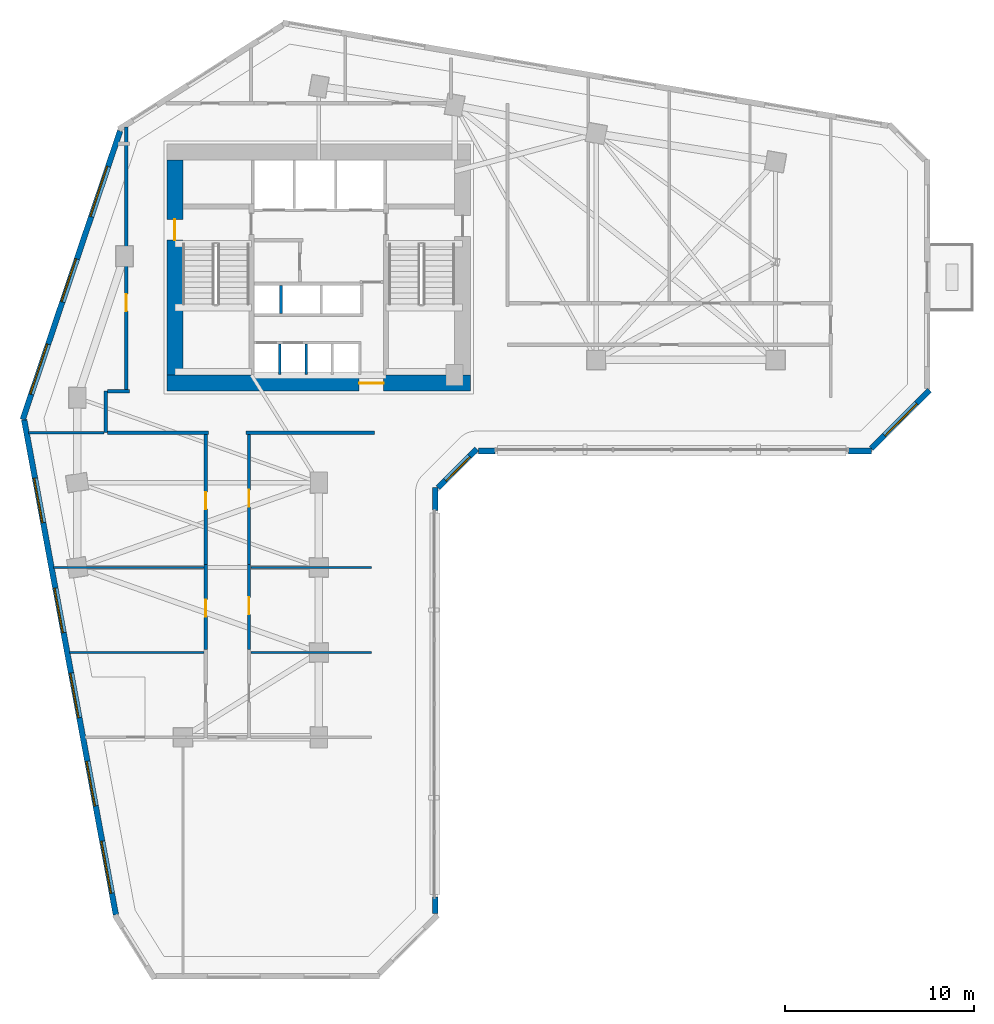
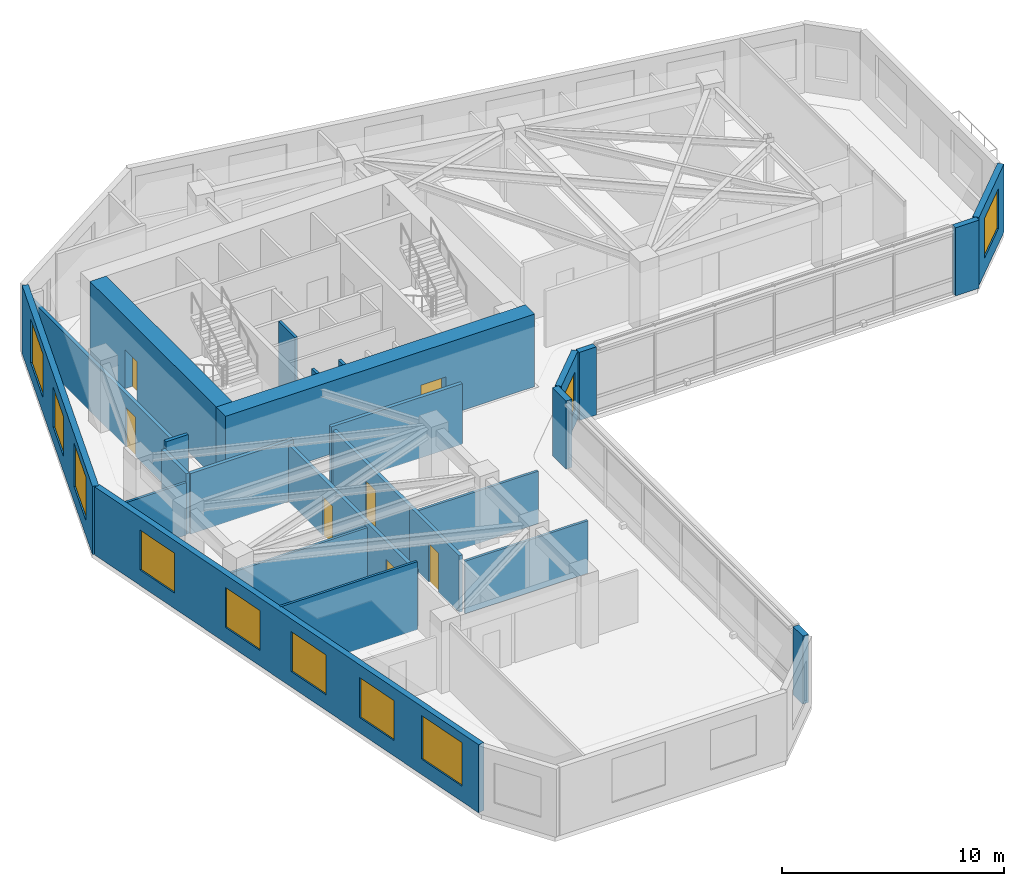
# One storey, part 5 of 11: 27 walls, 10 windows, 7 doors, 17 openings.
"""IFC4 building model written with IfcOpenShell, lengths in metres."""

from ifc_helpers import new_model, si_unit, direction, frame, frame_2d, origin, place, context, subcontext, project, spatial, rectangle, extrude, source, transform, mapped, material, layer, layer_set, type_object, element, fill, save


model = new_model("IFC4")

# Units and contexts
model_context = context("Model", 3, precision=1e-05, world=origin(), true_north=direction((0.0, 1.0)))
body_context = subcontext(model_context, "Body", "Model", "MODEL_VIEW")
ifc_project = project(units=[si_unit("LENGTHUNIT", "METRE"), si_unit("AREAUNIT", "SQUARE_METRE"), si_unit("VOLUMEUNIT", "CUBIC_METRE"), si_unit("PLANEANGLEUNIT", "RADIAN"), si_unit("MASSUNIT", "GRAM", prefix="KILO")], contexts=[model_context])

# Site, building, storey
site_placement = place(None, origin())
site = spatial("IfcSite", under=ifc_project, at=site_placement, CompositionType="ELEMENT")
building_placement = place(site_placement, origin())
building = spatial("IfcBuilding", under=site, at=building_placement, Name="Calvemar Wedge Station Tower", CompositionType="ELEMENT")
storey_placement = place(building_placement, frame((0.0, 0.0, 75.0)))
storey = spatial("IfcBuildingStorey", under=building, at=storey_placement, Name="L18", CompositionType="ELEMENT", Elevation=75.0)

# Wall, opening, door
ifc_material_1 = material(Name="Concrete C80", Category="concrete")
ifc_layer_1 = layer(ifc_material_1, 0.85009765625)
ifc_layer_set_1 = layer_set([ifc_layer_1], Name="Concrete C80")
wall_type_1 = type_object("IfcWallType", Name="SW-CORE-850", PredefinedType="SHEAR", material=ifc_layer_set_1)
wall_1_placement = place(storey_placement, frame((15.75, 33.77490234375, 0.0), z_axis=(0.0, 0.0, 1.0), x_axis=(1.0, 0.0, 0.0)))
wall_1 = element("IfcWall", 1, at=wall_1_placement, inside=storey, type_object=wall_type_1, Name="Storey L18 Core Shear Wall S", PredefinedType="SHEAR", context=body_context, shape_type="SweptSolid", body=[
    extrude(rectangle(XDim=16.10009765625, YDim=0.85009765625, at=frame_2d((8.050048828125, 0.0))), origin(), (0.0, 0.0, 1.0), 4.0),
])
shared_shape_1 = source(origin(), body_context, "Body", "SweptSolid", [
    extrude(rectangle(XDim=1.300048828125, YDim=2.14990234375, at=frame_2d((0.64990234375, 1.074951171875))), frame((0.0, 0.43505859375, 0.0), z_axis=(0.0, -1.0, 0.0), x_axis=(1.0, 0.0, 0.0)), (0.0, 0.0, 1.0), 0.8701171875),
])
opening_1_placement = place(wall_1_placement, frame((10.179931640625, 0.0, 0.0)))
opening_1 = element("IfcOpeningElement", 2, at=opening_1_placement, cuts=wall_1, Name="Opening DD-130", PredefinedType="OPENING", context=body_context, shape_type="MappedRepresentation", body=[
    mapped(shared_shape_1, transform((0.0, 0.0, 0.0), scale=1.0)),
])
ifc_material_2 = material(Name="Double-leaf lift lobby fire door EI 60")
door_type_1 = type_object("IfcDoorType", Name="DR-DBL-1300", OperationType="DOUBLE_DOOR_SINGLE_SWING", PredefinedType="DOOR", material=ifc_material_2)
shared_shape_2 = source(origin(), body_context, "Body", "SweptSolid", [
    extrude(rectangle(XDim=1.300048828125, YDim=2.14990234375, at=frame_2d((0.64990234375, 1.074951171875))), frame((0.0, 0.02490234375, 0.0), z_axis=(0.0, -1.0, 0.0), x_axis=(1.0, 0.0, 0.0)), (0.0, 0.0, 1.0), 0.050048828125),
])
door_1_placement = place(opening_1_placement, origin())
door_1 = element("IfcDoor", 3, at=door_1_placement, inside=storey, type_object=door_type_1, Name="L18 Passenger Lift Lobby Door", OperationType="DOUBLE_DOOR_SINGLE_SWING", OverallHeight=2.14990234375, OverallWidth=1.300048828125, PredefinedType="DOOR", context=body_context, shape_type="MappedRepresentation", body=[
    mapped(shared_shape_2, transform((0.0, 0.0, 0.0), scale=1.0)),
])
fill(opening_1, door_1)

wall_2_placement = place(storey_placement, frame((16.175048828125, 34.199951171875, 0.0), z_axis=(0.0, 0.0, 1.0), x_axis=(0.0, 1.0, 0.0)))
wall_2 = element("IfcWall", 4, at=wall_2_placement, inside=storey, type_object=wall_type_1, Name="Storey L18 Core Shear Wall W", PredefinedType="SHEAR", context=body_context, shape_type="SweptSolid", body=[
    extrude(rectangle(XDim=11.400146484375, YDim=0.85009765625, at=frame_2d((5.7001953125, 0.0))), origin(), (0.0, 0.0, 1.0), 4.0),
])
shared_shape_3 = source(origin(), body_context, "Body", "SweptSolid", [
    extrude(rectangle(XDim=1.10009765625, YDim=2.14990234375, at=frame_2d((0.550048828125, 1.074951171875))), frame((0.0, 0.43505859375, 0.0), z_axis=(0.0, -1.0, 0.0), x_axis=(1.0, 0.0, 0.0)), (0.0, 0.0, 1.0), 0.8701171875),
])
opening_2_placement = place(wall_2_placement, frame((7.14990234375, 0.0, 0.0)))
opening_2 = element("IfcOpeningElement", 5, at=opening_2_placement, cuts=wall_2, Name="Opening FD-90", PredefinedType="OPENING", context=body_context, shape_type="MappedRepresentation", body=[
    mapped(shared_shape_3, transform((0.0, 0.0, 0.0), scale=1.0)),
])
ifc_material_3 = material(Name="Galvanized fire-rated steel door leaf P-90", Category="steel")
door_type_2 = type_object("IfcDoorType", Name="DR-FD90-1100", OperationType="NOTDEFINED", PredefinedType="DOOR", material=ifc_material_3)
shared_shape_4 = source(origin(), body_context, "Body", "SweptSolid", [
    extrude(rectangle(XDim=1.10009765625, YDim=2.14990234375, at=frame_2d((0.550048828125, 1.074951171875))), frame((0.0, 0.02490234375, 0.0), z_axis=(0.0, -1.0, 0.0), x_axis=(1.0, 0.0, 0.0)), (0.0, 0.0, 1.0), 0.050048828125),
])
door_2_placement = place(opening_2_placement, origin())
door_2 = element("IfcDoor", 6, at=door_2_placement, inside=storey, type_object=door_type_2, Name="L18 West Corridor to Exit Stair ST-C1 Door", OperationType="SINGLE_SWING_RIGHT", OverallHeight=2.14990234375, OverallWidth=1.10009765625, PredefinedType="DOOR", context=body_context, shape_type="MappedRepresentation", body=[
    mapped(shared_shape_4, transform((0.0, 0.0, 0.0), scale=1.0)),
])
fill(opening_2, door_2)

# Walls
ifc_material_4 = material(Name="Double-stud fire-rated corridor partition")
ifc_layer_2 = layer(ifc_material_4, 0.179931640625)
ifc_layer_set_2 = layer_set([ifc_layer_2], Name="Double-stud fire-rated corridor partition")
wall_type_2 = type_object("IfcWallType", Name="W-CORR-180", PredefinedType="PARTITIONING", material=ifc_layer_set_2)
wall_3_placement = place(storey_placement, frame((12.5, 31.14990234375, 0.0), z_axis=(0.0, 0.0, 1.0), x_axis=(0.0, 1.0, 0.0)))
element("IfcWall", 7, at=wall_3_placement, inside=storey, type_object=wall_type_2, Name="Storey L18 Interior Partition WL-L18-004", PredefinedType="PARTITIONING", context=body_context, shape_type="SweptSolid", body=[
    extrude(rectangle(XDim=2.2001953125, YDim=0.179931640625, at=frame_2d((1.10009765625, 0.0))), origin(), (0.0, 0.0, 1.0), 3.3349609375),
])
wall_4_placement = place(storey_placement, frame((12.593994140625, 33.35009765625, 0.0), z_axis=(0.0, 0.0, 1.0), x_axis=(1.0, 0.0, 0.0)))
element("IfcWall", 8, at=wall_4_placement, inside=storey, type_object=wall_type_2, Name="Storey L18 Interior Partition WL-L18-005", PredefinedType="PARTITIONING", context=body_context, shape_type="SweptSolid", body=[
    extrude(rectangle(XDim=1.166015625, YDim=0.179931640625, at=frame_2d((0.5830078125, 0.0))), origin(), (0.0, 0.0, 1.0), 3.75),
])
wall_5_placement = place(storey_placement, frame((17.9599609375, 31.14990234375, 0.0), z_axis=(0.0, 0.0, 1.0), x_axis=(-1.0, 0.0, 0.0)))
element("IfcWall", 9, at=wall_5_placement, inside=storey, type_object=wall_type_2, Name="Storey L18 Interior Partition WL-L18-006", PredefinedType="PARTITIONING", context=body_context, shape_type="SweptSolid", body=[
    extrude(rectangle(XDim=5.365966796875, YDim=0.179931640625, at=frame_2d((2.68310546875, 0.0))), origin(), (0.0, 0.0, 1.0), 3.3349609375),
])
wall_6_placement = place(storey_placement, frame((26.760009765625, 31.14990234375, 0.0), z_axis=(0.0, 0.0, 1.0), x_axis=(-1.0, 0.0, 0.0)))
element("IfcWall", 10, at=wall_6_placement, inside=storey, type_object=wall_type_2, Name="Storey L18 Interior Partition WL-L18-007", PredefinedType="PARTITIONING", context=body_context, shape_type="SweptSolid", body=[
    extrude(rectangle(XDim=6.820068359375, YDim=0.179931640625, at=frame_2d((3.41015625, 0.0))), origin(), (0.0, 0.0, 1.0), 3.3349609375),
])

# Wall, opening, door
wall_7_placement = place(storey_placement, frame((13.60009765625, 33.444091796875, 0.0), z_axis=(0.0, 0.0, 1.0), x_axis=(0.0, 1.0, 0.0)))
wall_7 = element("IfcWall", 11, at=wall_7_placement, inside=storey, type_object=wall_type_2, Name="Storey L18 Interior Partition WL-L18-008", PredefinedType="PARTITIONING", context=body_context, shape_type="SweptSolid", body=[
    extrude(rectangle(XDim=13.896240234375, YDim=0.179931640625, at=frame_2d((6.9482421875, 0.0))), origin(), (0.0, 0.0, 1.0), 2.89208984375),
])
shared_shape_5 = source(origin(), body_context, "Body", "SweptSolid", [
    extrude(rectangle(XDim=0.89990234375, YDim=2.14990234375, at=frame_2d((0.449951171875, 1.074951171875))), frame((0.0, 0.10009765625, 0.0), z_axis=(0.0, -1.0, 0.0), x_axis=(1.0, 0.0, 0.0)), (0.0, 0.0, 1.0), 0.199951171875),
])
opening_3_placement = place(wall_7_placement, frame((4.143798828125, 0.0, 0.0)))
opening_3 = element("IfcOpeningElement", 12, at=opening_3_placement, cuts=wall_7, Name="Opening D-01", PredefinedType="OPENING", context=body_context, shape_type="MappedRepresentation", body=[
    mapped(shared_shape_5, transform((0.0, 0.0, 0.0), scale=1.0)),
])
ifc_material_5 = material(Name="Architectural hardwood acoustic swing door", Category="wood")
door_type_3 = type_object("IfcDoorType", Name="DR-INT-900", OperationType="NOTDEFINED", PredefinedType="DOOR", material=ifc_material_5)
shared_shape_6 = source(origin(), body_context, "Body", "SweptSolid", [
    extrude(rectangle(XDim=0.89990234375, YDim=2.14990234375, at=frame_2d((0.449951171875, 1.074951171875))), frame((0.0, 0.02490234375, 0.0), z_axis=(0.0, -1.0, 0.0), x_axis=(1.0, 0.0, 0.0)), (0.0, 0.0, 1.0), 0.050048828125),
])
door_3_placement = place(opening_3_placement, origin())
door_3 = element("IfcDoor", 13, at=door_3_placement, inside=storey, type_object=door_type_3, Name="L18 Co-Working Studio Door", OperationType="SINGLE_SWING_RIGHT", OverallHeight=2.14990234375, OverallWidth=0.89990234375, PredefinedType="DOOR", context=body_context, shape_type="MappedRepresentation", body=[
    mapped(shared_shape_6, transform((0.0, 0.0, 0.0), scale=1.0)),
])
fill(opening_3, door_3)

wall_8_placement = place(storey_placement, frame((17.800048828125, 19.662109375, 0.0), z_axis=(0.0, 0.0, 1.0), x_axis=(0.0, 1.0, 0.0)))
wall_8 = element("IfcWall", 14, at=wall_8_placement, inside=storey, type_object=wall_type_2, Name="Storey L18 Interior Partition WL-L18-031", PredefinedType="PARTITIONING", context=body_context, shape_type="SweptSolid", body=[
    extrude(rectangle(XDim=4.497802734375, YDim=0.179931640625, at=frame_2d((2.2490234375, 0.0))), origin(), (0.0, 0.0, 1.0), 3.125),
])
opening_4_placement = place(wall_8_placement, frame((1.73828125, 0.0, 0.0)))
opening_4 = element("IfcOpeningElement", 15, at=opening_4_placement, cuts=wall_8, Name="Opening D-01", PredefinedType="OPENING", context=body_context, shape_type="MappedRepresentation", body=[
    mapped(shared_shape_5, transform((0.0, 0.0, 0.0), scale=1.0)),
])
door_4_placement = place(opening_4_placement, origin())
door_4 = element("IfcDoor", 16, at=door_4_placement, inside=storey, type_object=door_type_3, Name="L18 Office Door", OperationType="SINGLE_SWING_RIGHT", OverallHeight=2.14990234375, OverallWidth=0.89990234375, PredefinedType="DOOR", context=body_context, shape_type="MappedRepresentation", body=[
    mapped(shared_shape_6, transform((0.0, 0.0, 0.0), scale=1.0)),
])
fill(opening_4, door_4)

wall_9_placement = place(storey_placement, frame((20.10009765625, 24.159912109375, 0.0), z_axis=(0.0, 0.0, 1.0), x_axis=(0.0, -1.0, 0.0)))
wall_9 = element("IfcWall", 17, at=wall_9_placement, inside=storey, type_object=wall_type_2, Name="Storey L18 Interior Partition WL-L18-032", PredefinedType="PARTITIONING", context=body_context, shape_type="SweptSolid", body=[
    extrude(rectangle(XDim=4.497802734375, YDim=0.179931640625, at=frame_2d((2.2490234375, 0.0))), origin(), (0.0, 0.0, 1.0), 3.125),
])
opening_5_placement = place(wall_9_placement, frame((1.73828125, 0.0, 0.0)))
opening_5 = element("IfcOpeningElement", 18, at=opening_5_placement, cuts=wall_9, Name="Opening D-01", PredefinedType="OPENING", context=body_context, shape_type="MappedRepresentation", body=[
    mapped(shared_shape_5, transform((0.0, 0.0, 0.0), scale=1.0)),
])
door_5_placement = place(opening_5_placement, origin())
door_5 = element("IfcDoor", 19, at=door_5_placement, inside=storey, type_object=door_type_3, Name="L18 Office Door", OperationType="SINGLE_SWING_LEFT", OverallHeight=2.14990234375, OverallWidth=0.89990234375, PredefinedType="DOOR", context=body_context, shape_type="MappedRepresentation", body=[
    mapped(shared_shape_6, transform((0.0, 0.0, 0.0), scale=1.0)),
])
fill(opening_5, door_5)

wall_10_placement = place(storey_placement, frame((17.800048828125, 24.162109375, 0.0), z_axis=(0.0, 0.0, 1.0), x_axis=(0.0, 1.0, 0.0)))
wall_10 = element("IfcWall", 20, at=wall_10_placement, inside=storey, type_object=wall_type_2, Name="Storey L18 Interior Partition WL-L18-033", PredefinedType="PARTITIONING", context=body_context, shape_type="SweptSolid", body=[
    extrude(rectangle(XDim=6.893798828125, YDim=0.179931640625, at=frame_2d((3.44677734375, 0.0))), origin(), (0.0, 0.0, 1.0), 3.125),
])
opening_6_placement = place(wall_10_placement, frame((2.9365234375, 0.0, 0.0)))
opening_6 = element("IfcOpeningElement", 21, at=opening_6_placement, cuts=wall_10, Name="Opening D-01", PredefinedType="OPENING", context=body_context, shape_type="MappedRepresentation", body=[
    mapped(shared_shape_5, transform((0.0, 0.0, 0.0), scale=1.0)),
])
door_6_placement = place(opening_6_placement, origin())
door_6 = element("IfcDoor", 22, at=door_6_placement, inside=storey, type_object=door_type_3, Name="L18 Co-Working Studio Door", OperationType="SINGLE_SWING_RIGHT", OverallHeight=2.14990234375, OverallWidth=0.89990234375, PredefinedType="DOOR", context=body_context, shape_type="MappedRepresentation", body=[
    mapped(shared_shape_6, transform((0.0, 0.0, 0.0), scale=1.0)),
])
fill(opening_6, door_6)

wall_11_placement = place(storey_placement, frame((20.10009765625, 31.055908203125, 0.0), z_axis=(0.0, 0.0, 1.0), x_axis=(0.0, -1.0, 0.0)))
wall_11 = element("IfcWall", 23, at=wall_11_placement, inside=storey, type_object=wall_type_2, Name="Storey L18 Interior Partition WL-L18-034", PredefinedType="PARTITIONING", context=body_context, shape_type="SweptSolid", body=[
    extrude(rectangle(XDim=6.893798828125, YDim=0.179931640625, at=frame_2d((3.44677734375, 0.0))), origin(), (0.0, 0.0, 1.0), 3.125),
])
opening_7_placement = place(wall_11_placement, frame((2.9365234375, 0.0, 0.0)))
opening_7 = element("IfcOpeningElement", 24, at=opening_7_placement, cuts=wall_11, Name="Opening D-01", PredefinedType="OPENING", context=body_context, shape_type="MappedRepresentation", body=[
    mapped(shared_shape_5, transform((0.0, 0.0, 0.0), scale=1.0)),
])
door_7_placement = place(opening_7_placement, origin())
door_7 = element("IfcDoor", 25, at=door_7_placement, inside=storey, type_object=door_type_3, Name="L18 Meeting Room Door", OperationType="SINGLE_SWING_LEFT", OverallHeight=2.14990234375, OverallWidth=0.89990234375, PredefinedType="DOOR", context=body_context, shape_type="MappedRepresentation", body=[
    mapped(shared_shape_6, transform((0.0, 0.0, 0.0), scale=1.0)),
])
fill(opening_7, door_7)

# Walls
ifc_material_6 = material(Name="Precast concrete C45", Category="concrete")
ifc_layer_3 = layer(ifc_material_6, 0.300048828125)
ifc_layer_set_3 = layer_set([ifc_layer_3], Name="Precast concrete C45")
wall_type_3 = type_object("IfcWallType", Name="W-EXT-GFRC-300", PredefinedType="SOLIDWALL", material=ifc_layer_set_3)
wall_12_placement = place(storey_placement, frame((29.97802734375, 5.6572265625, 0.0), z_axis=(0.0, 0.0, 1.0), x_axis=(0.0, 1.0, 0.0)))
element("IfcWall", 26, at=wall_12_placement, inside=storey, type_object=wall_type_3, Name="Storey L18 Bronze GFRC Corner Pier 4A", PredefinedType="SOLIDWALL", context=body_context, shape_type="SweptSolid", body=[
    extrude(rectangle(XDim=0.8798828125, YDim=0.300048828125, at=frame_2d((0.43994140625, 0.0))), origin(), (0.0, 0.0, 1.0), 3.75),
])
wall_13_placement = place(storey_placement, frame((29.97802734375, 27.01513671875, 0.0), z_axis=(0.0, 0.0, 1.0), x_axis=(0.0, 1.0, 0.0)))
element("IfcWall", 27, at=wall_13_placement, inside=storey, type_object=wall_type_3, Name="Storey L18 Bronze GFRC Corner Pier 4B", PredefinedType="SOLIDWALL", context=body_context, shape_type="SweptSolid", body=[
    extrude(rectangle(XDim=1.224853515625, YDim=0.300048828125, at=frame_2d((0.6123046875, 0.0))), origin(), (0.0, 0.0, 1.0), 3.75),
])

# Wall, opening, window
wall_14_placement = place(storey_placement, frame((30.115966796875, 28.22802734375, 0.0), z_axis=(0.0, 0.0, 1.0), x_axis=(0.707064797706, 0.707148762175, 0.0)))
wall_14 = element("IfcWall", 28, at=wall_14_placement, inside=storey, type_object=wall_type_3, Name="Storey L18 Bronze GFRC Exterior Wall 5", PredefinedType="SOLIDWALL", context=body_context, shape_type="SweptSolid", body=[
    extrude(rectangle(XDim=2.90771484375, YDim=0.300048828125, at=frame_2d((1.453857421875, 0.0))), origin(), (0.0, 0.0, 1.0), 3.75),
])
shared_shape_7 = source(origin(), body_context, "Body", "SweptSolid", [
    extrude(rectangle(XDim=1.800048828125, YDim=2.10009765625, at=frame_2d((0.89990234375, 1.050048828125))), frame((0.0, 0.16015625, 0.0), z_axis=(0.0, -1.0, 0.0), x_axis=(1.0, 0.0, 0.0)), (0.0, 0.0, 1.0), 0.320068359375),
])
opening_8_placement = place(wall_14_placement, frame((0.553955078125, 0.0, 0.85009765625)))
opening_8 = element("IfcOpeningElement", 29, at=opening_8_placement, cuts=wall_14, Name="Opening W2", PredefinedType="OPENING", context=body_context, shape_type="MappedRepresentation", body=[
    mapped(shared_shape_7, transform((0.0, 0.0, 0.0), scale=1.0)),
])
ifc_material_7 = material(Name="Low-E laminated insulated glass", Category="glass")
window_type_1 = type_object("IfcWindowType", Name="WIN-EXT-2", PartitioningType="SINGLE_PANEL", PredefinedType="WINDOW", material=ifc_material_7)
shared_shape_8 = source(origin(), body_context, "Body", "SweptSolid", [
    extrude(rectangle(XDim=1.800048828125, YDim=2.10009765625, at=frame_2d((0.89990234375, 1.050048828125))), frame((0.0, -0.014892578125, 0.0), z_axis=(0.0, -1.0, 0.0), x_axis=(1.0, 0.0, 0.0)), (0.0, 0.0, 1.0), 0.06005859375),
])
window_1_placement = place(opening_8_placement, origin())
window_1 = element("IfcWindow", 30, at=window_1_placement, inside=storey, type_object=window_type_1, Name="Storey L18 Recessed Window 5.1", OverallHeight=2.10009765625, OverallWidth=1.800048828125, PartitioningType="SINGLE_PANEL", PredefinedType="WINDOW", context=body_context, shape_type="MappedRepresentation", body=[
    mapped(shared_shape_8, transform((0.0, 0.0, 0.0), scale=1.0)),
])
fill(opening_8, window_1)

# Walls
wall_15_placement = place(storey_placement, frame((32.260986328125, 30.177978515625, 0.0), z_axis=(0.0, 0.0, 1.0), x_axis=(1.0, 0.0, 0.0)))
element("IfcWall", 31, at=wall_15_placement, inside=storey, type_object=wall_type_3, Name="Storey L18 Bronze GFRC Corner Pier 6A", PredefinedType="SOLIDWALL", context=body_context, shape_type="SweptSolid", body=[
    extrude(rectangle(XDim=0.8798828125, YDim=0.300048828125, at=frame_2d((0.43994140625, 0.0))), origin(), (0.0, 0.0, 1.0), 3.75),
])
wall_16_placement = place(storey_placement, frame((51.86279296875, 30.177978515625, 0.0), z_axis=(0.0, 0.0, 1.0), x_axis=(1.0, 0.0, 0.0)))
element("IfcWall", 32, at=wall_16_placement, inside=storey, type_object=wall_type_3, Name="Storey L18 Bronze GFRC Corner Pier 6B", PredefinedType="SOLIDWALL", context=body_context, shape_type="SweptSolid", body=[
    extrude(rectangle(XDim=1.22509765625, YDim=0.300048828125, at=frame_2d((0.612548828125, 0.0))), origin(), (0.0, 0.0, 1.0), 3.75),
])

# Wall, opening, window
wall_17_placement = place(storey_placement, frame((53.075927734375, 30.31591796875, 0.0), z_axis=(0.0, 0.0, 1.0), x_axis=(0.707078757535, 0.707134803727, 0.0)))
wall_17 = element("IfcWall", 33, at=wall_17_placement, inside=storey, type_object=wall_type_3, Name="Storey L18 Bronze GFRC Exterior Wall 7", PredefinedType="SOLIDWALL", context=body_context, shape_type="SweptSolid", body=[
    extrude(rectangle(XDim=4.35595703125, YDim=0.300048828125, at=frame_2d((2.177978515625, 0.0))), origin(), (0.0, 0.0, 1.0), 3.75),
])
shared_shape_9 = source(origin(), body_context, "Body", "SweptSolid", [
    extrude(rectangle(XDim=2.39990234375, YDim=2.199951171875, at=frame_2d((1.199951171875, 1.10009765625))), frame((0.0, 0.16015625, 0.0), z_axis=(0.0, -1.0, 0.0), x_axis=(1.0, 0.0, 0.0)), (0.0, 0.0, 1.0), 0.320068359375),
])
opening_9_placement = place(wall_17_placement, frame((0.97802734375, 0.0, 0.85009765625)))
opening_9 = element("IfcOpeningElement", 34, at=opening_9_placement, cuts=wall_17, Name="Opening W1", PredefinedType="OPENING", context=body_context, shape_type="MappedRepresentation", body=[
    mapped(shared_shape_9, transform((0.0, 0.0, 0.0), scale=1.0)),
])
window_type_2 = type_object("IfcWindowType", Name="WIN-EXT-1", PartitioningType="SINGLE_PANEL", PredefinedType="WINDOW", material=ifc_material_7)
shared_shape_10 = source(origin(), body_context, "Body", "SweptSolid", [
    extrude(rectangle(XDim=2.39990234375, YDim=2.199951171875, at=frame_2d((1.199951171875, 1.10009765625))), frame((0.0, -0.014892578125, 0.0), z_axis=(0.0, -1.0, 0.0), x_axis=(1.0, 0.0, 0.0)), (0.0, 0.0, 1.0), 0.06005859375),
])
window_2_placement = place(opening_9_placement, origin())
window_2 = element("IfcWindow", 35, at=window_2_placement, inside=storey, type_object=window_type_2, Name="Storey L18 Recessed Window 7.1", OverallHeight=2.199951171875, OverallWidth=2.39990234375, PartitioningType="SINGLE_PANEL", PredefinedType="WINDOW", context=body_context, shape_type="MappedRepresentation", body=[
    mapped(shared_shape_10, transform((0.0, 0.0, 0.0), scale=1.0)),
])
fill(opening_9, window_2)

# Wall, openings, windows
wall_18_placement = place(storey_placement, frame((13.2685546875, 47.1337890625, 0.0), z_axis=(0.0, 0.0, 1.0), x_axis=(-0.319920423265, -0.947444416722, 0.0)))
wall_18 = element("IfcWall", 36, at=wall_18_placement, inside=storey, type_object=wall_type_3, Name="Storey L18 Bronze GFRC Exterior Wall 12", PredefinedType="SOLIDWALL", context=body_context, shape_type="SweptSolid", body=[
    extrude(rectangle(XDim=16.134765625, YDim=0.300048828125, at=frame_2d((8.0673828125, 0.0))), origin(), (0.0, 0.0, 1.0), 3.75),
])
shared_shape_11 = source(origin(), body_context, "Body", "SweptSolid", [
    extrude(rectangle(XDim=2.800048828125, YDim=2.39990234375, at=frame_2d((1.39990234375, 1.199951171875))), frame((0.0, 0.16015625, 0.0), z_axis=(0.0, -1.0, 0.0), x_axis=(1.0, 0.0, 0.0)), (0.0, 0.0, 1.0), 0.320068359375),
])
opening_10_placement = place(wall_18_placement, frame((1.988037109375, 0.0, 0.85009765625)))
opening_10 = element("IfcOpeningElement", 37, at=opening_10_placement, cuts=wall_18, Name="Opening W6", PredefinedType="OPENING", context=body_context, shape_type="MappedRepresentation", body=[
    mapped(shared_shape_11, transform((0.0, 0.0, 0.0), scale=1.0)),
])
opening_11_placement = place(wall_18_placement, frame((7.158935546875, 0.0, 0.85009765625)))
opening_11 = element("IfcOpeningElement", 38, at=opening_11_placement, cuts=wall_18, Name="Opening W1", PredefinedType="OPENING", context=body_context, shape_type="MappedRepresentation", body=[
    mapped(shared_shape_9, transform((0.0, 0.0, 0.0), scale=1.0)),
])
opening_12_placement = place(wall_18_placement, frame((11.929931640625, 0.0, 0.85009765625)))
opening_12 = element("IfcOpeningElement", 39, at=opening_12_placement, cuts=wall_18, Name="Opening W6", PredefinedType="OPENING", context=body_context, shape_type="MappedRepresentation", body=[
    mapped(shared_shape_11, transform((0.0, 0.0, 0.0), scale=1.0)),
])
window_type_3 = type_object("IfcWindowType", Name="WIN-EXT-6", PartitioningType="SINGLE_PANEL", PredefinedType="WINDOW", material=ifc_material_7)
shared_shape_12 = source(origin(), body_context, "Body", "SweptSolid", [
    extrude(rectangle(XDim=2.800048828125, YDim=2.39990234375, at=frame_2d((1.39990234375, 1.199951171875))), frame((0.0, -0.014892578125, 0.0), z_axis=(0.0, -1.0, 0.0), x_axis=(1.0, 0.0, 0.0)), (0.0, 0.0, 1.0), 0.06005859375),
])
window_3_placement = place(opening_10_placement, origin())
window_3 = element("IfcWindow", 40, at=window_3_placement, inside=storey, type_object=window_type_3, Name="Storey L18 Recessed Window 12.1", OverallHeight=2.39990234375, OverallWidth=2.800048828125, PartitioningType="SINGLE_PANEL", PredefinedType="WINDOW", context=body_context, shape_type="MappedRepresentation", body=[
    mapped(shared_shape_12, transform((0.0, 0.0, 0.0), scale=1.0)),
])
fill(opening_10, window_3)
window_4_placement = place(opening_12_placement, origin())
window_4 = element("IfcWindow", 41, at=window_4_placement, inside=storey, type_object=window_type_3, Name="Storey L18 Recessed Window 12.3", OverallHeight=2.39990234375, OverallWidth=2.800048828125, PartitioningType="SINGLE_PANEL", PredefinedType="WINDOW", context=body_context, shape_type="MappedRepresentation", body=[
    mapped(shared_shape_12, transform((0.0, 0.0, 0.0), scale=1.0)),
])
fill(opening_12, window_4)
window_5_placement = place(opening_11_placement, origin())
window_5 = element("IfcWindow", 42, at=window_5_placement, inside=storey, type_object=window_type_2, Name="Storey L18 Recessed Window 12.2", OverallHeight=2.199951171875, OverallWidth=2.39990234375, PartitioningType="SINGLE_PANEL", PredefinedType="WINDOW", context=body_context, shape_type="MappedRepresentation", body=[
    mapped(shared_shape_10, transform((0.0, 0.0, 0.0), scale=1.0)),
])
fill(opening_11, window_5)

wall_19_placement = place(storey_placement, frame((8.183349609375, 31.83349609375, 0.0), z_axis=(0.0, 0.0, 1.0), x_axis=(0.18216364648, -0.983268226834, 0.0)))
wall_19 = element("IfcWall", 43, at=wall_19_placement, inside=storey, type_object=wall_type_3, Name="Storey L18 Bronze GFRC Exterior Wall 13", PredefinedType="SOLIDWALL", context=body_context, shape_type="SweptSolid", body=[
    extrude(rectangle(XDim=26.678466796875, YDim=0.300048828125, at=frame_2d((13.33935546875, 0.0))), origin(), (0.0, 0.0, 1.0), 3.75),
])
opening_13_placement = place(wall_19_placement, frame((3.152099609375, 0.0, 0.85009765625)))
opening_13 = element("IfcOpeningElement", 44, at=opening_13_placement, cuts=wall_19, Name="Opening W1", PredefinedType="OPENING", context=body_context, shape_type="MappedRepresentation", body=[
    mapped(shared_shape_9, transform((0.0, 0.0, 0.0), scale=1.0)),
])
opening_14_placement = place(wall_19_placement, frame((9.075927734375, 0.0, 0.85009765625)))
opening_14 = element("IfcOpeningElement", 45, at=opening_14_placement, cuts=wall_19, Name="Opening W1", PredefinedType="OPENING", context=body_context, shape_type="MappedRepresentation", body=[
    mapped(shared_shape_9, transform((0.0, 0.0, 0.0), scale=1.0)),
])
opening_15_placement = place(wall_19_placement, frame((13.653076171875, 0.0, 0.85009765625)))
opening_15 = element("IfcOpeningElement", 46, at=opening_15_placement, cuts=wall_19, Name="Opening W1", PredefinedType="OPENING", context=body_context, shape_type="MappedRepresentation", body=[
    mapped(shared_shape_9, transform((0.0, 0.0, 0.0), scale=1.0)),
])
opening_16_placement = place(wall_19_placement, frame((18.410888671875, 0.0, 0.85009765625)))
opening_16 = element("IfcOpeningElement", 47, at=opening_16_placement, cuts=wall_19, Name="Opening W1", PredefinedType="OPENING", context=body_context, shape_type="MappedRepresentation", body=[
    mapped(shared_shape_9, transform((0.0, 0.0, 0.0), scale=1.0)),
])
opening_17_placement = place(wall_19_placement, frame((22.708984375, 0.0, 0.85009765625)))
opening_17 = element("IfcOpeningElement", 48, at=opening_17_placement, cuts=wall_19, Name="Opening W6", PredefinedType="OPENING", context=body_context, shape_type="MappedRepresentation", body=[
    mapped(shared_shape_11, transform((0.0, 0.0, 0.0), scale=1.0)),
])
window_6_placement = place(opening_17_placement, origin())
window_6 = element("IfcWindow", 49, at=window_6_placement, inside=storey, type_object=window_type_3, Name="Storey L18 Recessed Window 13.5", OverallHeight=2.39990234375, OverallWidth=2.800048828125, PartitioningType="SINGLE_PANEL", PredefinedType="WINDOW", context=body_context, shape_type="MappedRepresentation", body=[
    mapped(shared_shape_12, transform((0.0, 0.0, 0.0), scale=1.0)),
])
fill(opening_17, window_6)
window_7_placement = place(opening_13_placement, origin())
window_7 = element("IfcWindow", 50, at=window_7_placement, inside=storey, type_object=window_type_2, Name="Storey L18 Recessed Window 13.1", OverallHeight=2.199951171875, OverallWidth=2.39990234375, PartitioningType="SINGLE_PANEL", PredefinedType="WINDOW", context=body_context, shape_type="MappedRepresentation", body=[
    mapped(shared_shape_10, transform((0.0, 0.0, 0.0), scale=1.0)),
])
fill(opening_13, window_7)
window_8_placement = place(opening_14_placement, origin())
window_8 = element("IfcWindow", 51, at=window_8_placement, inside=storey, type_object=window_type_2, Name="Storey L18 Recessed Window 13.2", OverallHeight=2.199951171875, OverallWidth=2.39990234375, PartitioningType="SINGLE_PANEL", PredefinedType="WINDOW", context=body_context, shape_type="MappedRepresentation", body=[
    mapped(shared_shape_10, transform((0.0, 0.0, 0.0), scale=1.0)),
])
fill(opening_14, window_8)
window_9_placement = place(opening_15_placement, origin())
window_9 = element("IfcWindow", 52, at=window_9_placement, inside=storey, type_object=window_type_2, Name="Storey L18 Recessed Window 13.3", OverallHeight=2.199951171875, OverallWidth=2.39990234375, PartitioningType="SINGLE_PANEL", PredefinedType="WINDOW", context=body_context, shape_type="MappedRepresentation", body=[
    mapped(shared_shape_10, transform((0.0, 0.0, 0.0), scale=1.0)),
])
fill(opening_15, window_9)
window_10_placement = place(opening_16_placement, origin())
window_10 = element("IfcWindow", 53, at=window_10_placement, inside=storey, type_object=window_type_2, Name="Storey L18 Recessed Window 13.4", OverallHeight=2.199951171875, OverallWidth=2.39990234375, PartitioningType="SINGLE_PANEL", PredefinedType="WINDOW", context=body_context, shape_type="MappedRepresentation", body=[
    mapped(shared_shape_10, transform((0.0, 0.0, 0.0), scale=1.0)),
])
fill(opening_16, window_10)

# Walls
ifc_material_8 = material(Name="Reinforced concrete blockwork lift shaft wall", Category="masonry")
ifc_layer_4 = layer(ifc_material_8, 0.139892578125)
ifc_layer_set_4 = layer_set([ifc_layer_4], Name="Reinforced concrete blockwork lift shaft wall")
wall_type_4 = type_object("IfcWallType", Name="W-LIFT-160", PredefinedType="SOLIDWALL", material=ifc_layer_set_4)
for number, where, z_axis, x_axis, name in (
    (54, (21.735107421875, 34.219970703125, 0.0), (0.0, 0.0, 1.0), (0.0, 1.0, 0.0), "Storey L18 South Passenger Lift Shaft Wall D1"),
    (55, (23.125, 34.219970703125, 0.0), (0.0, 0.0, 1.0), (0.0, 1.0, 0.0), "Storey L18 South Passenger Lift Shaft Wall D2"),
):
    element("IfcWall", number, at=place(storey_placement, frame(where, z_axis=z_axis, x_axis=x_axis)), inside=storey, type_object=wall_type_4, Name=name, PredefinedType="SOLIDWALL", context=body_context, shape_type="SweptSolid", body=[
        extrude(rectangle(XDim=1.6201171875, YDim=0.139892578125, at=frame_2d((0.81005859375, 0.0))), origin(), (0.0, 0.0, 1.0), 3.0419921875),
    ])
wall_20_placement = place(storey_placement, frame((21.794921875, 37.4599609375, 0.0), z_axis=(0.0, 0.0, 1.0), x_axis=(0.0, 1.0, 0.0)))
element("IfcWall", 56, at=wall_20_placement, inside=storey, type_object=wall_type_4, Name="Storey L18 Upper Passenger Lift Shaft Wall D1", PredefinedType="SOLIDWALL", context=body_context, shape_type="SweptSolid", body=[
    extrude(rectangle(XDim=1.47998046875, YDim=0.139892578125, at=frame_2d((0.739990234375, 0.0))), origin(), (0.0, 0.0, 1.0), 3.75),
])
ifc_material_9 = material(Name="Insulated acoustic gypsum stud partition")
ifc_layer_5 = layer(ifc_material_9, 0.125)
ifc_layer_set_5 = layer_set([ifc_layer_5], Name="Insulated acoustic gypsum stud partition")
wall_type_5 = type_object("IfcWallType", Name="W-PART-125", PredefinedType="PARTITIONING", material=ifc_layer_set_5)
wall_21_placement = place(storey_placement, frame((12.406005859375, 31.14990234375, 0.0), z_axis=(0.0, 0.0, 1.0), x_axis=(-1.0, 0.0, 0.0)))
element("IfcWall", 57, at=wall_21_placement, inside=storey, type_object=wall_type_5, Name="Storey L18 Interior Partition WL-L18-015", PredefinedType="PARTITIONING", context=body_context, shape_type="SweptSolid", body=[
    extrude(rectangle(XDim=3.97900390625, YDim=0.125, at=frame_2d((1.989501953125, 0.0))), origin(), (0.0, 0.0, 1.0), 2.89208984375),
])
wall_22_placement = place(storey_placement, frame((10.585205078125, 19.5, 0.0), z_axis=(0.0, 0.0, 1.0), x_axis=(1.0, 0.0, 0.0)))
element("IfcWall", 58, at=wall_22_placement, inside=storey, type_object=wall_type_5, Name="Storey L18 Interior Partition WL-L18-036", PredefinedType="PARTITIONING", context=body_context, shape_type="SweptSolid", body=[
    extrude(rectangle(XDim=7.120849609375, YDim=0.125, at=frame_2d((3.560546875, 0.0))), origin(), (0.0, 0.0, 1.0), 3.75),
])
wall_23_placement = place(storey_placement, frame((20.194091796875, 19.5, 0.0), z_axis=(0.0, 0.0, 1.0), x_axis=(1.0, 0.0, 0.0)))
element("IfcWall", 59, at=wall_23_placement, inside=storey, type_object=wall_type_5, Name="Storey L18 Interior Partition WL-L18-039", PredefinedType="PARTITIONING", context=body_context, shape_type="SweptSolid", body=[
    extrude(rectangle(XDim=6.406005859375, YDim=0.125, at=frame_2d((3.203125, 0.0))), origin(), (0.0, 0.0, 1.0), 2.89208984375),
])
wall_24_placement = place(storey_placement, frame((9.751708984375, 24.0, 0.0), z_axis=(0.0, 0.0, 1.0), x_axis=(1.0, 0.0, 0.0)))
element("IfcWall", 60, at=wall_24_placement, inside=storey, type_object=wall_type_5, Name="Storey L18 Interior Partition WL-L18-041", PredefinedType="PARTITIONING", context=body_context, shape_type="SweptSolid", body=[
    extrude(rectangle(XDim=7.954345703125, YDim=0.125, at=frame_2d((3.97705078125, 0.0))), origin(), (0.0, 0.0, 1.0), 2.89208984375),
])
wall_25_placement = place(storey_placement, frame((20.194091796875, 24.0, 0.0), z_axis=(0.0, 0.0, 1.0), x_axis=(1.0, 0.0, 0.0)))
element("IfcWall", 61, at=wall_25_placement, inside=storey, type_object=wall_type_5, Name="Storey L18 Interior Partition WL-L18-042", PredefinedType="PARTITIONING", context=body_context, shape_type="SweptSolid", body=[
    extrude(rectangle(XDim=6.406005859375, YDim=0.125, at=frame_2d((3.203125, 0.0))), origin(), (0.0, 0.0, 1.0), 2.89208984375),
])

save(model, "model.ifc")
